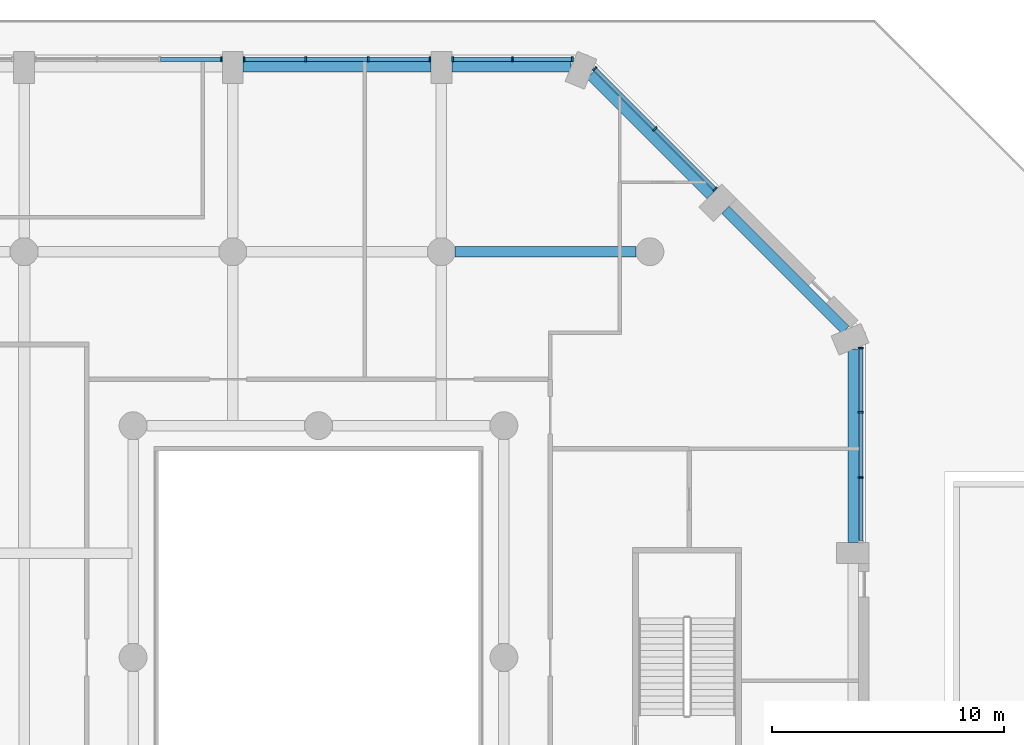
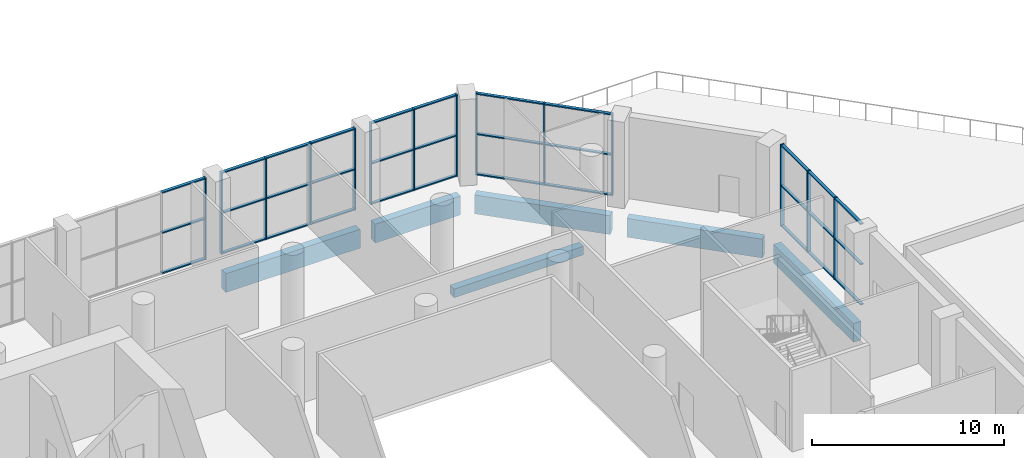
# One storey, part 10 of 26: 47 members, 6 beams, 5 elements without a shape of their own.
"""IFC4 building model written with IfcOpenShell, lengths in metres."""

from ifc_helpers import new_model, si_unit, direction, frame, origin, origin_2d, place, context, subcontext, project, spatial, rectangle, extrude, material, material_profile, profile_set, type_object, element, aggregate, save


model = new_model("IFC4")

# Units and contexts
model_context = context("Model", 3, precision=1e-05, world=origin(), true_north=direction((0.0, 1.0)))
body_context = subcontext(model_context, "Body", "Model", "MODEL_VIEW")
ifc_project = project(units=[si_unit("LENGTHUNIT", "METRE"), si_unit("AREAUNIT", "SQUARE_METRE"), si_unit("VOLUMEUNIT", "CUBIC_METRE"), si_unit("PLANEANGLEUNIT", "RADIAN"), si_unit("MASSUNIT", "GRAM", prefix="KILO")], contexts=[model_context])

# Site, building, storey
site_placement = place(None, origin())
site = spatial("IfcSite", under=ifc_project, at=site_placement, CompositionType="ELEMENT")
building_placement = place(site_placement, origin())
building = spatial("IfcBuilding", under=site, at=building_placement, Name="Cypress Arch Tower", CompositionType="ELEMENT")
storey_placement = place(building_placement, frame((0.0, 0.0, 50.0)))
storey = spatial("IfcBuildingStorey", under=building, at=storey_placement, Name="L06", CompositionType="ELEMENT", Elevation=50.0)

# Beam
ifc_material_1 = material(Name="Concrete C50/60", Category="concrete")
ifc_material_profile_1 = material_profile(ifc_material_1, rectangle(XDim=0.449951171875, YDim=0.550048828125, at=origin_2d()), Name="RC 450x550")
ifc_profile_set_1 = profile_set([ifc_material_profile_1], Name="Concrete C50/60")
beam_type_1 = type_object("IfcBeamType", Name="Floor beam RC 450x550 Concrete C50/60", PredefinedType="BEAM", material=ifc_profile_set_1)
beam_1_placement = place(storey_placement, frame((6.89990234375, 17.5, -0.574951171875), z_axis=(1.0, 0.0, 0.0), x_axis=(0.0, 1.0, 0.0)))
element("IfcBeam", 1, at=beam_1_placement, inside=storey, type_object=beam_type_1, Name="Floor beam L06 FB018", PredefinedType="BEAM", context=body_context, shape_type="SweptSolid", body=[
    extrude(rectangle(XDim=0.449951171875, YDim=0.550048828125, at=origin_2d()), origin(), (0.0, 0.0, 1.0), 7.800048828125),
])

# Curtain wall, members
ifc_material_2 = material(Name="Anodised aluminium, bronze finish, solar control laminated double glazing", Category="aluminium")
curtain_wall_type = type_object("IfcCurtainWallType", Name="Curtain wall CW3 sky lobby glazing", PredefinedType="NOTDEFINED", material=ifc_material_2)
curtain_wall_1_placement = place(storey_placement, origin())
curtain_wall_1 = element("IfcCurtainWall", 2, at=curtain_wall_1_placement, inside=storey, type_object=curtain_wall_type, Name="Curtain wall L06 A06.3.1", PredefinedType="NOTDEFINED")
ifc_material_3 = material(Name="Anodised aluminium, bronze finish", Category="aluminium")
ifc_material_profile_2 = material_profile(ifc_material_3, rectangle(XDim=0.219970703125, YDim=0.074951171875, at=origin_2d()), Name="Mullion 75x220")
ifc_profile_set_2 = profile_set([ifc_material_profile_2], Name="Anodised aluminium, bronze finish")
member_type_1 = type_object("IfcMemberType", Name="Mullion CW3 75x220", PredefinedType="MULLION", material=ifc_profile_set_2)
member_1_placement = place(storey_placement, frame((24.39990234375, 7.762939453125, 0.0), z_axis=(0.0, 0.0, 1.0), x_axis=(-1.0, 0.0, 0.0)))
member_1 = element("IfcMember", 3, at=member_1_placement, type_object=member_type_1, Name="CW3 mullion 2", PredefinedType="MULLION", context=body_context, shape_type="SweptSolid", body=[
    extrude(rectangle(XDim=0.219970703125, YDim=0.074951171875, at=origin_2d()), origin(), (0.0, 0.0, 1.0), 5.199951171875),
])
member_2_placement = place(storey_placement, frame((24.39990234375, 10.57568359375, 0.0), z_axis=(0.0, 0.0, 1.0), x_axis=(-1.0, 0.0, 0.0)))
member_2 = element("IfcMember", 4, at=member_2_placement, type_object=member_type_1, Name="CW3 mullion 3", PredefinedType="MULLION", context=body_context, shape_type="SweptSolid", body=[
    extrude(rectangle(XDim=0.219970703125, YDim=0.074951171875, at=origin_2d()), origin(), (0.0, 0.0, 1.0), 5.199951171875),
])
member_3_placement = place(storey_placement, frame((24.39990234375, 13.35107421875, 0.0), z_axis=(0.0, 0.0, 1.0), x_axis=(-1.0, 0.0, 0.0)))
member_3 = element("IfcMember", 5, at=member_3_placement, type_object=member_type_1, Name="CW3 mullion 4", PredefinedType="MULLION", context=body_context, shape_type="SweptSolid", body=[
    extrude(rectangle(XDim=0.219970703125, YDim=0.074951171875, at=origin_2d()), origin(), (0.0, 0.0, 1.0), 5.199951171875),
])

curtain_wall_2_placement = place(storey_placement, origin())
curtain_wall_2 = element("IfcCurtainWall", 6, at=curtain_wall_2_placement, inside=storey, type_object=curtain_wall_type, Name="Curtain wall L06 A07.1.1", PredefinedType="NOTDEFINED")
member_4_placement = place(storey_placement, frame((18.11376953125, 20.203369140625, 0.0), z_axis=(0.0, 0.0, 1.0), x_axis=(-0.707106781187, -0.707106781187, 0.0)))
member_4 = element("IfcMember", 7, at=member_4_placement, type_object=member_type_1, Name="CW3 mullion 1", PredefinedType="MULLION", context=body_context, shape_type="SweptSolid", body=[
    extrude(rectangle(XDim=0.219970703125, YDim=0.074951171875, at=origin_2d()), origin(), (0.0, 0.0, 1.0), 5.199951171875),
])
member_5_placement = place(storey_placement, frame((15.515625, 22.801513671875, 0.0), z_axis=(0.0, 0.0, 1.0), x_axis=(-0.707106781187, -0.707106781187, 0.0)))
member_5 = element("IfcMember", 8, at=member_5_placement, type_object=member_type_1, Name="CW3 mullion 2", PredefinedType="MULLION", context=body_context, shape_type="SweptSolid", body=[
    extrude(rectangle(XDim=0.219970703125, YDim=0.074951171875, at=origin_2d()), origin(), (0.0, 0.0, 1.0), 5.199951171875),
])
member_6_placement = place(storey_placement, frame((12.91748046875, 25.39990234375, 0.0), z_axis=(0.0, 0.0, 1.0), x_axis=(-0.707106781187, -0.707106781187, 0.0)))
member_6 = element("IfcMember", 9, at=member_6_placement, type_object=member_type_1, Name="CW3 mullion 3", PredefinedType="MULLION", context=body_context, shape_type="SweptSolid", body=[
    extrude(rectangle(XDim=0.219970703125, YDim=0.074951171875, at=origin_2d()), origin(), (0.0, 0.0, 1.0), 5.199951171875),
])

curtain_wall_3_placement = place(storey_placement, origin())
curtain_wall_3 = element("IfcCurtainWall", 10, at=curtain_wall_3_placement, inside=storey, type_object=curtain_wall_type, Name="Curtain wall L06 A08.0.1", PredefinedType="NOTDEFINED")
member_7_placement = place(storey_placement, frame((11.951171875, 25.800048828125, 0.0), z_axis=(0.0, 0.0, 1.0), x_axis=(0.0, -1.0, 0.0)))
member_7 = element("IfcMember", 11, at=member_7_placement, type_object=member_type_1, Name="CW3 mullion 1", PredefinedType="MULLION", context=body_context, shape_type="SweptSolid", body=[
    extrude(rectangle(XDim=0.219970703125, YDim=0.074951171875, at=origin_2d()), origin(), (0.0, 0.0, 1.0), 5.199951171875),
])
member_8_placement = place(storey_placement, frame((9.369384765625, 25.800048828125, 0.0), z_axis=(0.0, 0.0, 1.0), x_axis=(0.0, -1.0, 0.0)))
member_8 = element("IfcMember", 12, at=member_8_placement, type_object=member_type_1, Name="CW3 mullion 2", PredefinedType="MULLION", context=body_context, shape_type="SweptSolid", body=[
    extrude(rectangle(XDim=0.219970703125, YDim=0.074951171875, at=origin_2d()), origin(), (0.0, 0.0, 1.0), 5.199951171875),
])
member_9_placement = place(storey_placement, frame((6.78759765625, 25.800048828125, 0.0), z_axis=(0.0, 0.0, 1.0), x_axis=(0.0, -1.0, 0.0)))
member_9 = element("IfcMember", 13, at=member_9_placement, type_object=member_type_1, Name="CW3 mullion 3", PredefinedType="MULLION", context=body_context, shape_type="SweptSolid", body=[
    extrude(rectangle(XDim=0.219970703125, YDim=0.074951171875, at=origin_2d()), origin(), (0.0, 0.0, 1.0), 5.199951171875),
])

curtain_wall_4_placement = place(storey_placement, origin())
curtain_wall_4 = element("IfcCurtainWall", 14, at=curtain_wall_4_placement, inside=storey, type_object=curtain_wall_type, Name="Curtain wall L06 A08.1.1", PredefinedType="NOTDEFINED")
member_10_placement = place(storey_placement, frame((5.8125, 25.800048828125, 0.0), z_axis=(0.0, 0.0, 1.0), x_axis=(0.0, -1.0, 0.0)))
member_10 = element("IfcMember", 15, at=member_10_placement, type_object=member_type_1, Name="CW3 mullion 1", PredefinedType="MULLION", context=body_context, shape_type="SweptSolid", body=[
    extrude(rectangle(XDim=0.219970703125, YDim=0.074951171875, at=origin_2d()), origin(), (0.0, 0.0, 1.0), 5.199951171875),
])
member_11_placement = place(storey_placement, frame((3.14990234375, 25.800048828125, 0.0), z_axis=(0.0, 0.0, 1.0), x_axis=(0.0, -1.0, 0.0)))
member_11 = element("IfcMember", 16, at=member_11_placement, type_object=member_type_1, Name="CW3 mullion 2", PredefinedType="MULLION", context=body_context, shape_type="SweptSolid", body=[
    extrude(rectangle(XDim=0.219970703125, YDim=0.074951171875, at=origin_2d()), origin(), (0.0, 0.0, 1.0), 5.199951171875),
])
member_12_placement = place(storey_placement, frame((0.449951171875, 25.800048828125, 0.0), z_axis=(0.0, 0.0, 1.0), x_axis=(0.0, -1.0, 0.0)))
member_12 = element("IfcMember", 17, at=member_12_placement, type_object=member_type_1, Name="CW3 mullion 3", PredefinedType="MULLION", context=body_context, shape_type="SweptSolid", body=[
    extrude(rectangle(XDim=0.219970703125, YDim=0.074951171875, at=origin_2d()), origin(), (0.0, 0.0, 1.0), 5.199951171875),
])
member_13_placement = place(storey_placement, frame((-2.21240234375, 25.800048828125, 0.0), z_axis=(0.0, 0.0, 1.0), x_axis=(0.0, -1.0, 0.0)))
member_13 = element("IfcMember", 18, at=member_13_placement, type_object=member_type_1, Name="CW3 mullion 4", PredefinedType="MULLION", context=body_context, shape_type="SweptSolid", body=[
    extrude(rectangle(XDim=0.219970703125, YDim=0.074951171875, at=origin_2d()), origin(), (0.0, 0.0, 1.0), 5.199951171875),
])

# Curtain wall, member
curtain_wall_5_placement = place(storey_placement, origin())
curtain_wall_5 = element("IfcCurtainWall", 19, at=curtain_wall_5_placement, inside=storey, type_object=curtain_wall_type, Name="Curtain wall L06 A08.2.1", PredefinedType="NOTDEFINED")
member_14_placement = place(storey_placement, frame((-3.1875, 25.800048828125, 0.0), z_axis=(0.0, 0.0, 1.0), x_axis=(0.0, -1.0, 0.0)))
member_14 = element("IfcMember", 20, at=member_14_placement, type_object=member_type_1, Name="CW3 mullion 1", PredefinedType="MULLION", context=body_context, shape_type="SweptSolid", body=[
    extrude(rectangle(XDim=0.219970703125, YDim=0.074951171875, at=origin_2d()), origin(), (0.0, 0.0, 1.0), 5.199951171875),
])

# Beams
ifc_material_4 = material(Name="Concrete C50/60", Category="concrete")
ifc_material_profile_3 = material_profile(ifc_material_4, rectangle(XDim=0.449951171875, YDim=1.199951171875, at=origin_2d()), Name="RC 450x1200")
ifc_profile_set_3 = profile_set([ifc_material_profile_3], Name="Concrete C50/60")
beam_type_2 = type_object("IfcBeamType", Name="Spandrel beam RC 450x1200 Concrete C50/60", PredefinedType="SPANDREL", material=ifc_profile_set_3)
beam_2_placement = place(storey_placement, frame((24.074951171875, 4.949951171875, -1.550048828125), z_axis=(0.0, 1.0, 0.0), x_axis=(-1.0, 0.0, 0.0)))
element("IfcBeam", 21, at=beam_2_placement, inside=storey, type_object=beam_type_2, Name="Spandrel beam L06 BA06-3", PredefinedType="SPANDREL", context=body_context, shape_type="SweptSolid", body=[
    extrude(rectangle(XDim=0.449951171875, YDim=1.199951171875, at=origin_2d()), origin(), (0.0, 0.0, 1.0), 8.345458984375),
])
for number, where, z_axis, x_axis, name in (
    (22, (23.73046875, 14.126953125, -1.550048828125), (-0.707106781187, 0.707106781187, 0.0), (-0.707106781187, -0.707106781187, 0.0), "Spandrel beam L06 BA07-0"),
    (23, (17.91064453125, 19.947021484375, -1.550048828125), (-0.707106781187, 0.707106781187, 0.0), (-0.707106781187, -0.707106781187, 0.0), "Spandrel beam L06 BA07-1"),
):
    element("IfcBeam", number, at=place(storey_placement, frame(where, z_axis=z_axis, x_axis=x_axis)), inside=storey, type_object=beam_type_2, Name=name, PredefinedType="SPANDREL", context=body_context, shape_type="SweptSolid", body=[
        extrude(rectangle(XDim=0.449951171875, YDim=1.199951171875, at=origin_2d()), origin(), (0.0, 0.0, 1.0), 7.330810546875),
    ])
beam_3_placement = place(storey_placement, frame((11.8955078125, 25.47509765625, -1.550048828125), z_axis=(-1.0, 0.0, 0.0), x_axis=(0.0, -1.0, 0.0)))
element("IfcBeam", 24, at=beam_3_placement, inside=storey, type_object=beam_type_2, Name="Spandrel beam L06 BA08-0", PredefinedType="SPANDREL", context=body_context, shape_type="SweptSolid", body=[
    extrude(rectangle(XDim=0.449951171875, YDim=1.199951171875, at=origin_2d()), origin(), (0.0, 0.0, 1.0), 5.1455078125),
])
beam_4_placement = place(storey_placement, frame((5.85009765625, 25.47509765625, -1.550048828125), z_axis=(-1.0, 0.0, 0.0), x_axis=(0.0, -1.0, 0.0)))
element("IfcBeam", 25, at=beam_4_placement, inside=storey, type_object=beam_type_2, Name="Spandrel beam L06 BA08-1", PredefinedType="SPANDREL", context=body_context, shape_type="SweptSolid", body=[
    extrude(rectangle(XDim=0.449951171875, YDim=1.199951171875, at=origin_2d()), origin(), (0.0, 0.0, 1.0), 8.10009765625),
])

# Member
ifc_material_5 = material(Name="Anodised aluminium, bronze finish", Category="aluminium")
ifc_material_profile_4 = material_profile(ifc_material_5, rectangle(XDim=0.179931640625, YDim=0.074951171875, at=origin_2d()), Name="Transom 75x180")
ifc_profile_set_4 = profile_set([ifc_material_profile_4], Name="Anodised aluminium, bronze finish")
member_type_2 = type_object("IfcMemberType", Name="Transom CW3 75x180", PredefinedType="USERDEFINED", material=ifc_profile_set_4)
member_15_placement = place(storey_placement, frame((24.39990234375, 5.02490234375, 0.03759765625), z_axis=(0.0, 1.0, 0.0), x_axis=(-1.0, 0.0, 0.0)))
member_15 = element("IfcMember", 26, at=member_15_placement, type_object=member_type_2, Name="CW3 transom 1.1", ObjectType="TRANSOM", PredefinedType="USERDEFINED", context=body_context, shape_type="SweptSolid", body=[
    extrude(rectangle(XDim=0.179931640625, YDim=0.074951171875, at=origin_2d()), origin(), (0.0, 0.0, 1.0), 2.700439453125),
])

member_16_placement = place(storey_placement, frame((24.39990234375, 5.02490234375, 2.60009765625), z_axis=(0.0, 1.0, 0.0), x_axis=(-1.0, 0.0, 0.0)))
member_16 = element("IfcMember", 27, at=member_16_placement, type_object=member_type_2, Name="CW3 transom 1.2", ObjectType="TRANSOM", PredefinedType="USERDEFINED", context=body_context, shape_type="SweptSolid", body=[
    extrude(rectangle(XDim=0.179931640625, YDim=0.074951171875, at=origin_2d()), origin(), (0.0, 0.0, 1.0), 2.700439453125),
])

member_17_placement = place(storey_placement, frame((24.39990234375, 5.02490234375, 5.16259765625), z_axis=(0.0, 1.0, 0.0), x_axis=(-1.0, 0.0, 0.0)))
member_17 = element("IfcMember", 28, at=member_17_placement, type_object=member_type_2, Name="CW3 transom 1.3", ObjectType="TRANSOM", PredefinedType="USERDEFINED", context=body_context, shape_type="SweptSolid", body=[
    extrude(rectangle(XDim=0.179931640625, YDim=0.074951171875, at=origin_2d()), origin(), (0.0, 0.0, 1.0), 2.700439453125),
])

member_18_placement = place(storey_placement, frame((24.39990234375, 7.80029296875, 0.03759765625), z_axis=(0.0, 1.0, 0.0), x_axis=(-1.0, 0.0, 0.0)))
member_18 = element("IfcMember", 29, at=member_18_placement, type_object=member_type_2, Name="CW3 transom 2.1", ObjectType="TRANSOM", PredefinedType="USERDEFINED", context=body_context, shape_type="SweptSolid", body=[
    extrude(rectangle(XDim=0.179931640625, YDim=0.074951171875, at=origin_2d()), origin(), (0.0, 0.0, 1.0), 2.738037109375),
])

member_19_placement = place(storey_placement, frame((24.39990234375, 7.80029296875, 2.60009765625), z_axis=(0.0, 1.0, 0.0), x_axis=(-1.0, 0.0, 0.0)))
member_19 = element("IfcMember", 30, at=member_19_placement, type_object=member_type_2, Name="CW3 transom 2.2", ObjectType="TRANSOM", PredefinedType="USERDEFINED", context=body_context, shape_type="SweptSolid", body=[
    extrude(rectangle(XDim=0.179931640625, YDim=0.074951171875, at=origin_2d()), origin(), (0.0, 0.0, 1.0), 2.738037109375),
])

member_20_placement = place(storey_placement, frame((24.39990234375, 7.80029296875, 5.16259765625), z_axis=(0.0, 1.0, 0.0), x_axis=(-1.0, 0.0, 0.0)))
member_20 = element("IfcMember", 31, at=member_20_placement, type_object=member_type_2, Name="CW3 transom 2.3", ObjectType="TRANSOM", PredefinedType="USERDEFINED", context=body_context, shape_type="SweptSolid", body=[
    extrude(rectangle(XDim=0.179931640625, YDim=0.074951171875, at=origin_2d()), origin(), (0.0, 0.0, 1.0), 2.738037109375),
])

member_21_placement = place(storey_placement, frame((24.39990234375, 10.61328125, 0.03759765625), z_axis=(0.0, 1.0, 0.0), x_axis=(-1.0, 0.0, 0.0)))
member_21 = element("IfcMember", 32, at=member_21_placement, type_object=member_type_2, Name="CW3 transom 3.1", ObjectType="TRANSOM", PredefinedType="USERDEFINED", context=body_context, shape_type="SweptSolid", body=[
    extrude(rectangle(XDim=0.179931640625, YDim=0.074951171875, at=origin_2d()), origin(), (0.0, 0.0, 1.0), 2.700439453125),
])

member_22_placement = place(storey_placement, frame((24.39990234375, 10.61328125, 2.60009765625), z_axis=(0.0, 1.0, 0.0), x_axis=(-1.0, 0.0, 0.0)))
member_22 = element("IfcMember", 33, at=member_22_placement, type_object=member_type_2, Name="CW3 transom 3.2", ObjectType="TRANSOM", PredefinedType="USERDEFINED", context=body_context, shape_type="SweptSolid", body=[
    extrude(rectangle(XDim=0.179931640625, YDim=0.074951171875, at=origin_2d()), origin(), (0.0, 0.0, 1.0), 2.700439453125),
])

member_23_placement = place(storey_placement, frame((24.39990234375, 10.61328125, 5.16259765625), z_axis=(0.0, 1.0, 0.0), x_axis=(-1.0, 0.0, 0.0)))
member_23 = element("IfcMember", 34, at=member_23_placement, type_object=member_type_2, Name="CW3 transom 3.3", ObjectType="TRANSOM", PredefinedType="USERDEFINED", context=body_context, shape_type="SweptSolid", body=[
    extrude(rectangle(XDim=0.179931640625, YDim=0.074951171875, at=origin_2d()), origin(), (0.0, 0.0, 1.0), 2.700439453125),
])

aggregate(curtain_wall_1, [member_1, member_2, member_3, member_15, member_16, member_17, member_18, member_19, member_20, member_21, member_22, member_23])

member_24_placement = place(storey_placement, frame((18.08740234375, 20.229736328125, 0.03759765625), z_axis=(-0.707072868006, 0.707140692741, 0.0), x_axis=(-0.707140692741, -0.707072868006, 0.0)))
member_24 = element("IfcMember", 35, at=member_24_placement, type_object=member_type_2, Name="CW3 transom 1.1", ObjectType="TRANSOM", PredefinedType="USERDEFINED", context=body_context, shape_type="SweptSolid", body=[
    extrude(rectangle(XDim=0.179931640625, YDim=0.074951171875, at=origin_2d()), origin(), (0.0, 0.0, 1.0), 3.599609375),
])

member_25_placement = place(storey_placement, frame((18.08740234375, 20.229736328125, 2.60009765625), z_axis=(-0.707072868006, 0.707140692741, 0.0), x_axis=(-0.707140692741, -0.707072868006, 0.0)))
member_25 = element("IfcMember", 36, at=member_25_placement, type_object=member_type_2, Name="CW3 transom 1.2", ObjectType="TRANSOM", PredefinedType="USERDEFINED", context=body_context, shape_type="SweptSolid", body=[
    extrude(rectangle(XDim=0.179931640625, YDim=0.074951171875, at=origin_2d()), origin(), (0.0, 0.0, 1.0), 3.599609375),
])

member_26_placement = place(storey_placement, frame((18.08740234375, 20.229736328125, 5.16259765625), z_axis=(-0.707072868006, 0.707140692741, 0.0), x_axis=(-0.707140692741, -0.707072868006, 0.0)))
member_26 = element("IfcMember", 37, at=member_26_placement, type_object=member_type_2, Name="CW3 transom 1.3", ObjectType="TRANSOM", PredefinedType="USERDEFINED", context=body_context, shape_type="SweptSolid", body=[
    extrude(rectangle(XDim=0.179931640625, YDim=0.074951171875, at=origin_2d()), origin(), (0.0, 0.0, 1.0), 3.599609375),
])

member_27_placement = place(storey_placement, frame((15.489013671875, 22.828125, 0.03759765625), z_axis=(-0.707106781187, 0.707106781187, 0.0), x_axis=(-0.707106781187, -0.707106781187, 0.0)))
member_27 = element("IfcMember", 38, at=member_27_placement, type_object=member_type_2, Name="CW3 transom 2.1", ObjectType="TRANSOM", PredefinedType="USERDEFINED", context=body_context, shape_type="SweptSolid", body=[
    extrude(rectangle(XDim=0.179931640625, YDim=0.074951171875, at=origin_2d()), origin(), (0.0, 0.0, 1.0), 3.599365234375),
])

member_28_placement = place(storey_placement, frame((15.489013671875, 22.828125, 2.60009765625), z_axis=(-0.707106781187, 0.707106781187, 0.0), x_axis=(-0.707106781187, -0.707106781187, 0.0)))
member_28 = element("IfcMember", 39, at=member_28_placement, type_object=member_type_2, Name="CW3 transom 2.2", ObjectType="TRANSOM", PredefinedType="USERDEFINED", context=body_context, shape_type="SweptSolid", body=[
    extrude(rectangle(XDim=0.179931640625, YDim=0.074951171875, at=origin_2d()), origin(), (0.0, 0.0, 1.0), 3.599365234375),
])

member_29_placement = place(storey_placement, frame((15.489013671875, 22.828125, 5.16259765625), z_axis=(-0.707106781187, 0.707106781187, 0.0), x_axis=(-0.707106781187, -0.707106781187, 0.0)))
member_29 = element("IfcMember", 40, at=member_29_placement, type_object=member_type_2, Name="CW3 transom 2.3", ObjectType="TRANSOM", PredefinedType="USERDEFINED", context=body_context, shape_type="SweptSolid", body=[
    extrude(rectangle(XDim=0.179931640625, YDim=0.074951171875, at=origin_2d()), origin(), (0.0, 0.0, 1.0), 3.599365234375),
])

aggregate(curtain_wall_2, [member_4, member_5, member_6, member_24, member_25, member_26, member_27, member_28, member_29])

member_30_placement = place(storey_placement, frame((11.91357421875, 25.800048828125, 0.03759765625), z_axis=(-1.0, 0.0, 0.0), x_axis=(0.0, -1.0, 0.0)))
member_30 = element("IfcMember", 41, at=member_30_placement, type_object=member_type_2, Name="CW3 transom 1.1", ObjectType="TRANSOM", PredefinedType="USERDEFINED", context=body_context, shape_type="SweptSolid", body=[
    extrude(rectangle(XDim=0.179931640625, YDim=0.074951171875, at=origin_2d()), origin(), (0.0, 0.0, 1.0), 2.5068359375),
])

member_31_placement = place(storey_placement, frame((11.91357421875, 25.800048828125, 2.60009765625), z_axis=(-1.0, 0.0, 0.0), x_axis=(0.0, -1.0, 0.0)))
member_31 = element("IfcMember", 42, at=member_31_placement, type_object=member_type_2, Name="CW3 transom 1.2", ObjectType="TRANSOM", PredefinedType="USERDEFINED", context=body_context, shape_type="SweptSolid", body=[
    extrude(rectangle(XDim=0.179931640625, YDim=0.074951171875, at=origin_2d()), origin(), (0.0, 0.0, 1.0), 2.5068359375),
])

member_32_placement = place(storey_placement, frame((11.91357421875, 25.800048828125, 5.16259765625), z_axis=(-1.0, 0.0, 0.0), x_axis=(0.0, -1.0, 0.0)))
member_32 = element("IfcMember", 43, at=member_32_placement, type_object=member_type_2, Name="CW3 transom 1.3", ObjectType="TRANSOM", PredefinedType="USERDEFINED", context=body_context, shape_type="SweptSolid", body=[
    extrude(rectangle(XDim=0.179931640625, YDim=0.074951171875, at=origin_2d()), origin(), (0.0, 0.0, 1.0), 2.5068359375),
])

member_33_placement = place(storey_placement, frame((9.331787109375, 25.800048828125, 0.03759765625), z_axis=(-1.0, 0.0, 0.0), x_axis=(0.0, -1.0, 0.0)))
member_33 = element("IfcMember", 44, at=member_33_placement, type_object=member_type_2, Name="CW3 transom 2.1", ObjectType="TRANSOM", PredefinedType="USERDEFINED", context=body_context, shape_type="SweptSolid", body=[
    extrude(rectangle(XDim=0.179931640625, YDim=0.074951171875, at=origin_2d()), origin(), (0.0, 0.0, 1.0), 2.5068359375),
])

member_34_placement = place(storey_placement, frame((9.331787109375, 25.800048828125, 2.60009765625), z_axis=(-1.0, 0.0, 0.0), x_axis=(0.0, -1.0, 0.0)))
member_34 = element("IfcMember", 45, at=member_34_placement, type_object=member_type_2, Name="CW3 transom 2.2", ObjectType="TRANSOM", PredefinedType="USERDEFINED", context=body_context, shape_type="SweptSolid", body=[
    extrude(rectangle(XDim=0.179931640625, YDim=0.074951171875, at=origin_2d()), origin(), (0.0, 0.0, 1.0), 2.5068359375),
])

member_35_placement = place(storey_placement, frame((9.331787109375, 25.800048828125, 5.16259765625), z_axis=(-1.0, 0.0, 0.0), x_axis=(0.0, -1.0, 0.0)))
member_35 = element("IfcMember", 46, at=member_35_placement, type_object=member_type_2, Name="CW3 transom 2.3", ObjectType="TRANSOM", PredefinedType="USERDEFINED", context=body_context, shape_type="SweptSolid", body=[
    extrude(rectangle(XDim=0.179931640625, YDim=0.074951171875, at=origin_2d()), origin(), (0.0, 0.0, 1.0), 2.5068359375),
])

aggregate(curtain_wall_3, [member_7, member_8, member_9, member_30, member_31, member_32, member_33, member_34, member_35])

member_36_placement = place(storey_placement, frame((5.77490234375, 25.800048828125, 0.03759765625), z_axis=(-1.0, 0.0, 0.0), x_axis=(0.0, -1.0, 0.0)))
member_36 = element("IfcMember", 47, at=member_36_placement, type_object=member_type_2, Name="CW3 transom 1.1", ObjectType="TRANSOM", PredefinedType="USERDEFINED", context=body_context, shape_type="SweptSolid", body=[
    extrude(rectangle(XDim=0.179931640625, YDim=0.074951171875, at=origin_2d()), origin(), (0.0, 0.0, 1.0), 2.58740234375),
])

member_37_placement = place(storey_placement, frame((5.77490234375, 25.800048828125, 2.60009765625), z_axis=(-1.0, 0.0, 0.0), x_axis=(0.0, -1.0, 0.0)))
member_37 = element("IfcMember", 48, at=member_37_placement, type_object=member_type_2, Name="CW3 transom 1.2", ObjectType="TRANSOM", PredefinedType="USERDEFINED", context=body_context, shape_type="SweptSolid", body=[
    extrude(rectangle(XDim=0.179931640625, YDim=0.074951171875, at=origin_2d()), origin(), (0.0, 0.0, 1.0), 2.58740234375),
])

member_38_placement = place(storey_placement, frame((5.77490234375, 25.800048828125, 5.16259765625), z_axis=(-1.0, 0.0, 0.0), x_axis=(0.0, -1.0, 0.0)))
member_38 = element("IfcMember", 49, at=member_38_placement, type_object=member_type_2, Name="CW3 transom 1.3", ObjectType="TRANSOM", PredefinedType="USERDEFINED", context=body_context, shape_type="SweptSolid", body=[
    extrude(rectangle(XDim=0.179931640625, YDim=0.074951171875, at=origin_2d()), origin(), (0.0, 0.0, 1.0), 2.58740234375),
])

member_39_placement = place(storey_placement, frame((3.112548828125, 25.800048828125, 0.03759765625), z_axis=(-1.0, 0.0, 0.0), x_axis=(0.0, -1.0, 0.0)))
member_39 = element("IfcMember", 50, at=member_39_placement, type_object=member_type_2, Name="CW3 transom 2.1", ObjectType="TRANSOM", PredefinedType="USERDEFINED", context=body_context, shape_type="SweptSolid", body=[
    extrude(rectangle(XDim=0.179931640625, YDim=0.074951171875, at=origin_2d()), origin(), (0.0, 0.0, 1.0), 2.625),
])

member_40_placement = place(storey_placement, frame((3.112548828125, 25.800048828125, 2.60009765625), z_axis=(-1.0, 0.0, 0.0), x_axis=(0.0, -1.0, 0.0)))
member_40 = element("IfcMember", 51, at=member_40_placement, type_object=member_type_2, Name="CW3 transom 2.2", ObjectType="TRANSOM", PredefinedType="USERDEFINED", context=body_context, shape_type="SweptSolid", body=[
    extrude(rectangle(XDim=0.179931640625, YDim=0.074951171875, at=origin_2d()), origin(), (0.0, 0.0, 1.0), 2.625),
])

member_41_placement = place(storey_placement, frame((3.112548828125, 25.800048828125, 5.16259765625), z_axis=(-1.0, 0.0, 0.0), x_axis=(0.0, -1.0, 0.0)))
member_41 = element("IfcMember", 52, at=member_41_placement, type_object=member_type_2, Name="CW3 transom 2.3", ObjectType="TRANSOM", PredefinedType="USERDEFINED", context=body_context, shape_type="SweptSolid", body=[
    extrude(rectangle(XDim=0.179931640625, YDim=0.074951171875, at=origin_2d()), origin(), (0.0, 0.0, 1.0), 2.625),
])

member_42_placement = place(storey_placement, frame((0.41259765625, 25.800048828125, 0.03759765625), z_axis=(-1.0, 0.0, 0.0), x_axis=(0.0, -1.0, 0.0)))
member_42 = element("IfcMember", 53, at=member_42_placement, type_object=member_type_2, Name="CW3 transom 3.1", ObjectType="TRANSOM", PredefinedType="USERDEFINED", context=body_context, shape_type="SweptSolid", body=[
    extrude(rectangle(XDim=0.179931640625, YDim=0.074951171875, at=origin_2d()), origin(), (0.0, 0.0, 1.0), 2.587646484375),
])

member_43_placement = place(storey_placement, frame((0.41259765625, 25.800048828125, 2.60009765625), z_axis=(-1.0, 0.0, 0.0), x_axis=(0.0, -1.0, 0.0)))
member_43 = element("IfcMember", 54, at=member_43_placement, type_object=member_type_2, Name="CW3 transom 3.2", ObjectType="TRANSOM", PredefinedType="USERDEFINED", context=body_context, shape_type="SweptSolid", body=[
    extrude(rectangle(XDim=0.179931640625, YDim=0.074951171875, at=origin_2d()), origin(), (0.0, 0.0, 1.0), 2.587646484375),
])

member_44_placement = place(storey_placement, frame((0.41259765625, 25.800048828125, 5.16259765625), z_axis=(-1.0, 0.0, 0.0), x_axis=(0.0, -1.0, 0.0)))
member_44 = element("IfcMember", 55, at=member_44_placement, type_object=member_type_2, Name="CW3 transom 3.3", ObjectType="TRANSOM", PredefinedType="USERDEFINED", context=body_context, shape_type="SweptSolid", body=[
    extrude(rectangle(XDim=0.179931640625, YDim=0.074951171875, at=origin_2d()), origin(), (0.0, 0.0, 1.0), 2.587646484375),
])

aggregate(curtain_wall_4, [member_10, member_11, member_12, member_13, member_36, member_37, member_38, member_39, member_40, member_41, member_42, member_43, member_44])

member_45_placement = place(storey_placement, frame((-3.22509765625, 25.800048828125, 0.03759765625), z_axis=(-1.0, 0.0, 0.0), x_axis=(0.0, -1.0, 0.0)))
member_45 = element("IfcMember", 56, at=member_45_placement, type_object=member_type_2, Name="CW3 transom 1.1", ObjectType="TRANSOM", PredefinedType="USERDEFINED", context=body_context, shape_type="SweptSolid", body=[
    extrude(rectangle(XDim=0.179931640625, YDim=0.074951171875, at=origin_2d()), origin(), (0.0, 0.0, 1.0), 2.58740234375),
])

member_46_placement = place(storey_placement, frame((-3.22509765625, 25.800048828125, 2.60009765625), z_axis=(-1.0, 0.0, 0.0), x_axis=(0.0, -1.0, 0.0)))
member_46 = element("IfcMember", 57, at=member_46_placement, type_object=member_type_2, Name="CW3 transom 1.2", ObjectType="TRANSOM", PredefinedType="USERDEFINED", context=body_context, shape_type="SweptSolid", body=[
    extrude(rectangle(XDim=0.179931640625, YDim=0.074951171875, at=origin_2d()), origin(), (0.0, 0.0, 1.0), 2.58740234375),
])

member_47_placement = place(storey_placement, frame((-3.22509765625, 25.800048828125, 5.16259765625), z_axis=(-1.0, 0.0, 0.0), x_axis=(0.0, -1.0, 0.0)))
member_47 = element("IfcMember", 58, at=member_47_placement, type_object=member_type_2, Name="CW3 transom 1.3", ObjectType="TRANSOM", PredefinedType="USERDEFINED", context=body_context, shape_type="SweptSolid", body=[
    extrude(rectangle(XDim=0.179931640625, YDim=0.074951171875, at=origin_2d()), origin(), (0.0, 0.0, 1.0), 2.58740234375),
])

aggregate(curtain_wall_5, [member_14, member_45, member_46, member_47])

save(model, "model.ifc")
